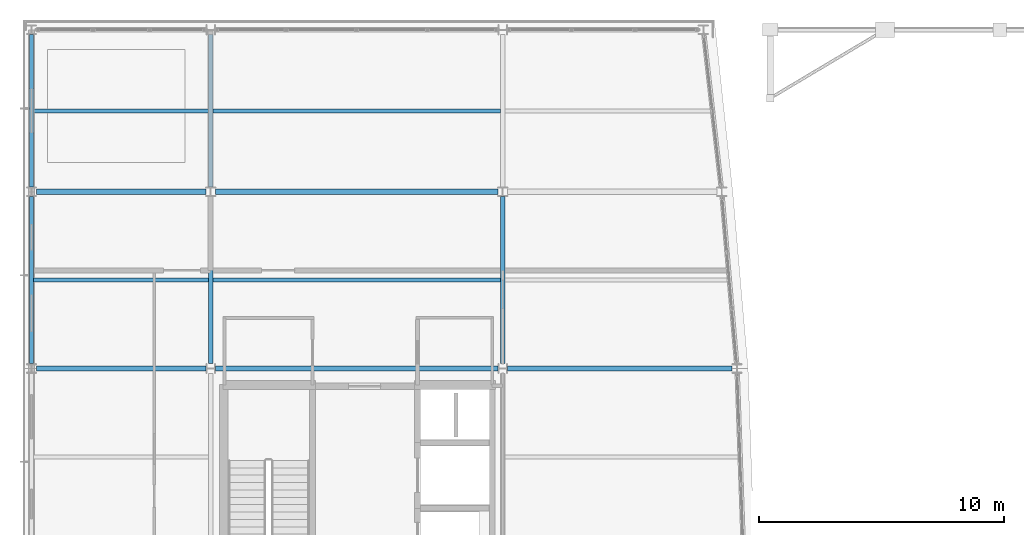
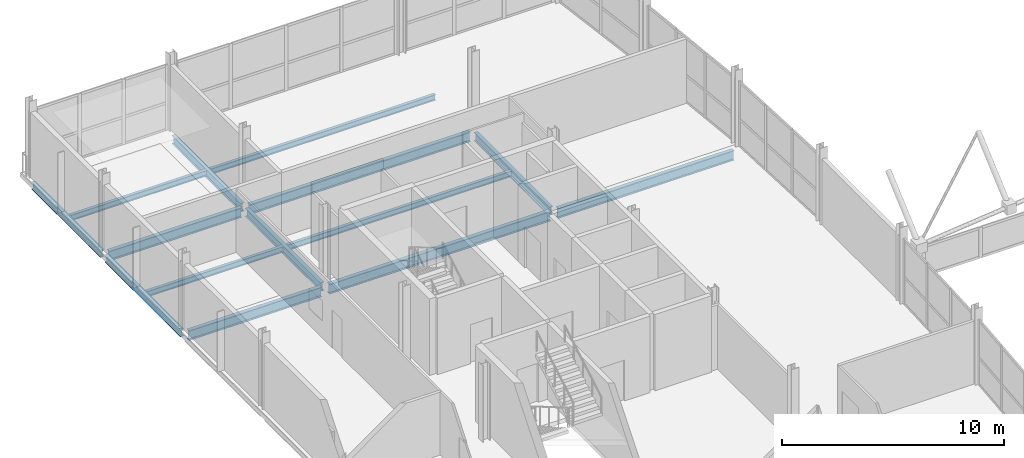
# One storey, part 30 of 60: 14 beams.
"""IFC4 building model written with IfcOpenShell, lengths in metres."""

import ifcopenshell
import ifcopenshell.guid

model = None  # the IFC model being written
_history = None  # IfcOwnerHistory: only IFC2X3 demands one
_inside = {}  # id of a spatial element -> (the spatial element, [elements in it])
_under = {}  # id of a project, library or spatial element -> (it, [spatial elements below it])
_declared = {}  # id of a project -> (the project, [libraries it declares])
_typed = {}  # id of a type object -> (the type object, [elements of that type])
_made_of = {}  # id of a material, layer set ... -> (it, [elements and type objects made of it])


def new_model(schema):
    """Start an empty IFC model of exactly this schema.

    Asked for "IFC4X3", IfcOpenShell would pick the latest addendum, in which some entities
    have other attributes; the version numbers below select the first issue.
    IFC2X3 requires an IfcOwnerHistory on every rooted entity: one is made here for all.
    """
    global model, _history
    if schema == "IFC4X3":
        model = ifcopenshell.file(schema_version=(4, 3, 0, 0))
    else:
        model = ifcopenshell.file(schema=schema)
    _inside.clear()
    _under.clear()
    _declared.clear()
    _typed.clear()
    _made_of.clear()
    _history = None
    if model.schema == "IFC2X3":
        org = make("IfcOrganization", Name="unknown")
        user = make(
            "IfcPersonAndOrganization",
            ThePerson=make("IfcPerson", FamilyName="unknown"),
            TheOrganization=org,
        )
        app = make(
            "IfcApplication",
            ApplicationDeveloper=org,
            Version="unknown",
            ApplicationFullName="unknown",
            ApplicationIdentifier="unknown",
        )
        _history = make(
            "IfcOwnerHistory",
            OwningUser=user,
            OwningApplication=app,
            ChangeAction="ADDED",
            CreationDate=0,
        )
    return model


def make(cls, **values):
    """One entity of the class cls with the attributes given. An attribute that is None is left unset."""
    return model.create_entity(
        cls, **{name: value for name, value in values.items() if value is not None}
    )


def rooted(cls, **values):
    """An entity with a GlobalId (a new one), such as an element, a storey or a relation."""
    return make(cls, GlobalId=ifcopenshell.guid.new(), OwnerHistory=_history, **values)


def si_unit(unit_type, name, prefix=None):
    """IfcSIUnit, for example si_unit("LENGTHUNIT", "METRE", prefix="MILLI")."""
    return make("IfcSIUnit", UnitType=unit_type, Prefix=prefix, Name=name)


def assignment(units):
    """IfcUnitAssignment: the units of a project."""
    return None if units is None else make("IfcUnitAssignment", Units=units)


def point(xyz):
    """IfcCartesianPoint."""
    return None if xyz is None else make("IfcCartesianPoint", Coordinates=xyz)


def direction(xyz):
    """IfcDirection."""
    return None if xyz is None else make("IfcDirection", DirectionRatios=xyz)


def frame(location, z_axis=None, x_axis=None):
    """IfcAxis2Placement3D, a coordinate frame: its origin and axes. An axis left out is left unset."""
    return make(
        "IfcAxis2Placement3D",
        Location=point(location),
        Axis=direction(z_axis),
        RefDirection=direction(x_axis),
    )


def frame_2d(location, x_axis=None):
    """IfcAxis2Placement2D, a coordinate frame in the plane: its origin and x axis."""
    return make(
        "IfcAxis2Placement2D", Location=point(location), RefDirection=direction(x_axis)
    )


def origin():
    """The frame at (0, 0, 0) with its axes left unset."""
    return frame((0.0, 0.0, 0.0))


def origin_2d():
    """The frame at (0, 0) in the plane with its x axis left unset."""
    return frame_2d((0.0, 0.0))


def place(relative_to, where):
    """IfcLocalPlacement: puts the frame where relative to a parent placement (None: the world)."""
    return make(
        "IfcLocalPlacement", PlacementRelTo=relative_to, RelativePlacement=where
    )


def context(
    kind, dimensions, precision=None, world=None, true_north=None, identifier=None
):
    """IfcGeometricRepresentationContext, for example the 3D "Model" context."""
    return make(
        "IfcGeometricRepresentationContext",
        ContextIdentifier=identifier,
        ContextType=kind,
        CoordinateSpaceDimension=dimensions,
        Precision=precision,
        WorldCoordinateSystem=world,
        TrueNorth=true_north,
    )


def subcontext(parent, identifier, kind, view, scale=None):
    """IfcGeometricRepresentationSubContext, for example "Body" below "Model"."""
    return make(
        "IfcGeometricRepresentationSubContext",
        ContextIdentifier=identifier,
        ContextType=kind,
        ParentContext=parent,
        TargetScale=scale,
        TargetView=view,
    )


def project(units=None, contexts=None):
    """IfcProject with its units and contexts."""
    return rooted(
        "IfcProject",
        Name="project",
        RepresentationContexts=contexts,
        UnitsInContext=assignment(units),
    )


def spatial(cls, under=None, at=None, **own):
    """A site, building, storey or space (cls), placed at a placement, below another one or the project."""
    s = rooted(cls, ObjectPlacement=at, **own)
    if under is not None:
        _under.setdefault(under.id(), (under, []))[1].append(s)
    return s


def profile(cls, at=None, kind="AREA", **sizes):
    """A parametric profile (cls). Its sizes go by their IFC names, for example OverallWidth=200.0."""
    return make(cls, ProfileType=kind, Position=at, **sizes)


def i_section(**sizes):
    """IfcIShapeProfileDef."""
    return profile("IfcIShapeProfileDef", **sizes)


def extrude(swept, where, along, depth):
    """IfcExtrudedAreaSolid: the profile swept, set in the frame where, extruded along a direction by depth."""
    return make(
        "IfcExtrudedAreaSolid",
        SweptArea=swept,
        Position=where,
        ExtrudedDirection=direction(along),
        Depth=depth,
    )


def shape(context_of_items, identifier, shape_type, items):
    """IfcShapeRepresentation: the items that make up one representation, for example the "Body"."""
    return make(
        "IfcShapeRepresentation",
        ContextOfItems=context_of_items,
        RepresentationIdentifier=identifier,
        RepresentationType=shape_type,
        Items=items,
    )


def material(Name=None, Category=None):
    """IfcMaterial."""
    return make("IfcMaterial", Name=Name, Category=Category)


def material_profile(
    of_material, cross_section, Name=None, Category=None, Priority=None
):
    """IfcMaterialProfile: a cross section and its material."""
    return make(
        "IfcMaterialProfile",
        Name=Name,
        Material=of_material,
        Profile=cross_section,
        Priority=Priority,
        Category=Category,
    )


def profile_set(profiles, Name=None, composite=None):
    """IfcMaterialProfileSet."""
    return make(
        "IfcMaterialProfileSet",
        Name=Name,
        MaterialProfiles=profiles,
        CompositeProfile=composite,
    )


def made_of(thing, what):
    """Note that an element or type object is made of a material, layer set ...; save() writes the relation."""
    if what is not None:
        _made_of.setdefault(what.id(), (what, []))[1].append(thing)
    return thing


def type_object(cls, material=None, **own):
    """A type object (cls), such as IfcWallType, which elements share."""
    return made_of(rooted(cls, **own), material)


def element(
    cls,
    number,
    at=None,
    inside=None,
    cuts=None,
    type_object=None,
    material=None,
    context=None,
    identifier="Body",
    shape_type=None,
    held_by="IfcProductDefinitionShape",
    body=None,
    shapes=None,
    **own,
):
    """One element of the class cls, such as IfcWall. Its Tag is "e" and its number.

    at: its placement. inside: the storey or other place that contains it. cuts: it is an
    opening in that element (IfcRelVoidsElement). A single representation is given by context,
    identifier, shape_type and body (its items); several are given by shapes. held_by: the class
    of the entity that holds the representations. save() writes the other relations.
    """
    e = rooted(cls, Tag="e%d" % number, ObjectPlacement=at, **own)
    if body is not None:
        shapes = [shape(context, identifier, shape_type, body)]
    if shapes is not None:
        e.Representation = make(held_by, Representations=shapes)
    if inside is not None:
        _inside.setdefault(inside.id(), (inside, []))[1].append(e)
    if cuts is not None:
        rooted(
            "IfcRelVoidsElement", RelatingBuildingElement=cuts, RelatedOpeningElement=e
        )
    if type_object is not None:
        _typed.setdefault(type_object.id(), (type_object, []))[1].append(e)
    return made_of(e, material)


def aggregate(whole, parts):
    """IfcRelAggregates: a whole, such as a stair, and the parts it consists of."""
    return rooted("IfcRelAggregates", RelatingObject=whole, RelatedObjects=parts)


def save(model, path):
    """Write the relations noted so far, then the file.

    IfcRelAggregates (storeys below a building ...), IfcRelContainedInSpatialStructure (elements
    in a storey), IfcRelDefinesByType, IfcRelAssociatesMaterial and IfcRelDeclares: one each for
    every whole, place, type object, material and project.
    """
    for whole, parts in _under.values():
        aggregate(whole, parts)
    for where, things in _inside.values():
        rooted(
            "IfcRelContainedInSpatialStructure",
            RelatedElements=things,
            RelatingStructure=where,
        )
    for kind, things in _typed.values():
        rooted("IfcRelDefinesByType", RelatedObjects=things, RelatingType=kind)
    for what, things in _made_of.values():
        rooted("IfcRelAssociatesMaterial", RelatedObjects=things, RelatingMaterial=what)
    for by, libraries in _declared.values():
        rooted("IfcRelDeclares", RelatingContext=by, RelatedDefinitions=libraries)
    model.write(path)


model = new_model("IFC4")

# Units and contexts
model_context = context("Model", 3, precision=1e-05, world=origin(), true_north=direction((0.0, 1.0)))
body_context = subcontext(model_context, "Body", "Model", "MODEL_VIEW")
ifc_project = project(units=[si_unit("LENGTHUNIT", "METRE"), si_unit("AREAUNIT", "SQUARE_METRE"), si_unit("VOLUMEUNIT", "CUBIC_METRE"), si_unit("PLANEANGLEUNIT", "RADIAN"), si_unit("MASSUNIT", "GRAM", prefix="KILO")], contexts=[model_context])

# Site, building, storey
site_placement = place(None, origin())
site = spatial("IfcSite", under=ifc_project, at=site_placement, CompositionType="ELEMENT")
building_placement = place(site_placement, origin())
building = spatial("IfcBuilding", under=site, at=building_placement, Name="Quillay Park Conservatory", CompositionType="ELEMENT")
storey_placement = place(building_placement, frame((0.0, 0.0, 9.89990234375)))
storey = spatial("IfcBuildingStorey", under=building, at=storey_placement, Name="L02", CompositionType="ELEMENT", Elevation=9.89990234375)

# Beams
ifc_material_1 = material(Name="Steel ASTM A992 Grade 50", Category="steel")
ifc_material_profile_1 = material_profile(ifc_material_1, i_section(OverallWidth=0.166015625, OverallDepth=0.31298828125, WebThickness=0.006591796875, FlangeThickness=0.01123046875, FilletRadius=0.010009765625, at=origin_2d()), Name="W310x45")
ifc_profile_set_1 = profile_set([ifc_material_profile_1], Name="Steel ASTM A992 Grade 50")
beam_type_1 = type_object("IfcBeamType", Name="COMPOSITE FLOOR JOIST W310 X45", PredefinedType="JOIST", material=ifc_profile_set_1)
beam_1_placement = place(storey_placement, frame((0.639892578125, 103.199951171875, -0.386474609375), z_axis=(1.0, 0.0, 0.0), x_axis=(0.0, 1.0, 0.0)))
element("IfcBeam", 1, at=beam_1_placement, inside=storey, type_object=beam_type_1, Name="L02 beam BM-J-0234", PredefinedType="JOIST", context=body_context, shape_type="SweptSolid", body=[
    extrude(i_section(OverallWidth=0.166015625, OverallDepth=0.31298828125, WebThickness=0.006591796875, FlangeThickness=0.01123046875, FilletRadius=0.010009765625, at=origin_2d()), origin(), (0.0, 0.0, 1.0), 7.114013671875),
])
beam_2_placement = place(storey_placement, frame((7.946044921875, 103.199951171875, -0.386474609375), z_axis=(1.0, 0.0, 0.0), x_axis=(0.0, 1.0, 0.0)))
element("IfcBeam", 2, at=beam_2_placement, inside=storey, type_object=beam_type_1, Name="L02 beam BM-J-0236", PredefinedType="JOIST", context=body_context, shape_type="SweptSolid", body=[
    extrude(i_section(OverallWidth=0.166015625, OverallDepth=0.31298828125, WebThickness=0.006591796875, FlangeThickness=0.01123046875, FilletRadius=0.010009765625, at=origin_2d()), origin(), (0.0, 0.0, 1.0), 11.7080078125),
])
beam_3_placement = place(storey_placement, frame((0.639892578125, 110.10009765625, -0.386474609375), z_axis=(1.0, 0.0, 0.0), x_axis=(0.0, 1.0, 0.0)))
element("IfcBeam", 3, at=beam_3_placement, inside=storey, type_object=beam_type_1, Name="L02 beam BM-J-0241", PredefinedType="JOIST", context=body_context, shape_type="SweptSolid", body=[
    extrude(i_section(OverallWidth=0.166015625, OverallDepth=0.31298828125, WebThickness=0.006591796875, FlangeThickness=0.01123046875, FilletRadius=0.010009765625, at=origin_2d()), origin(), (0.0, 0.0, 1.0), 7.114013671875),
])
beam_4_placement = place(storey_placement, frame((7.946044921875, 110.10009765625, -0.386474609375), z_axis=(1.0, 0.0, 0.0), x_axis=(0.0, 1.0, 0.0)))
element("IfcBeam", 4, at=beam_4_placement, inside=storey, type_object=beam_type_1, Name="L02 beam BM-J-0243", PredefinedType="JOIST", context=body_context, shape_type="SweptSolid", body=[
    extrude(i_section(OverallWidth=0.166015625, OverallDepth=0.31298828125, WebThickness=0.006591796875, FlangeThickness=0.01123046875, FilletRadius=0.010009765625, at=origin_2d()), origin(), (0.0, 0.0, 1.0), 11.7080078125),
])
ifc_material_2 = material(Name="Steel ASTM A992 Grade 50", Category="steel")
ifc_material_profile_2 = material_profile(ifc_material_2, i_section(OverallWidth=0.179931640625, OverallDepth=0.4130859375, WebThickness=0.009765625, FlangeThickness=0.01611328125, FilletRadius=0.011962890625, at=origin_2d()), Name="W410x74")
ifc_profile_set_2 = profile_set([ifc_material_profile_2], Name="Steel ASTM A992 Grade 50")
beam_type_2 = type_object("IfcBeamType", Name="PERIMETER SPANDREL BEAM W410 X74", PredefinedType="SPANDREL", material=ifc_profile_set_2)
beam_5_placement = place(storey_placement, frame((0.550048828125, 99.79638671875, -0.4365234375), z_axis=(0.0, 1.0, 0.0), x_axis=(-1.0, 0.0, 0.0)))
element("IfcBeam", 5, at=beam_5_placement, inside=storey, type_object=beam_type_2, Name="L02 beam BM-SPW-0230", PredefinedType="SPANDREL", context=body_context, shape_type="SweptSolid", body=[
    extrude(i_section(OverallWidth=0.179931640625, OverallDepth=0.4130859375, WebThickness=0.009765625, FlangeThickness=0.01611328125, FilletRadius=0.011962890625, at=origin_2d()), origin(), (0.0, 0.0, 1.0), 6.80712890625),
])
beam_6_placement = place(storey_placement, frame((0.550048828125, 106.99658203125, -0.4365234375), z_axis=(0.0, 1.0, 0.0), x_axis=(-1.0, 0.0, 0.0)))
element("IfcBeam", 6, at=beam_6_placement, inside=storey, type_object=beam_type_2, Name="L02 beam BM-SPW-0237", PredefinedType="SPANDREL", context=body_context, shape_type="SweptSolid", body=[
    extrude(i_section(OverallWidth=0.179931640625, OverallDepth=0.4130859375, WebThickness=0.009765625, FlangeThickness=0.01611328125, FilletRadius=0.011962890625, at=origin_2d()), origin(), (0.0, 0.0, 1.0), 6.20703125),
])
ifc_material_3 = material(Name="Steel ASTM A992 Grade 50", Category="steel")
ifc_material_profile_3 = material_profile(ifc_material_3, i_section(OverallWidth=0.19189453125, OverallDepth=0.462890625, WebThickness=0.010498046875, FlangeThickness=0.017578125, FilletRadius=0.012939453125, at=origin_2d()), Name="W460x89")
ifc_profile_set_3 = profile_set([ifc_material_profile_3], Name="Steel ASTM A992 Grade 50")
beam_type_3 = type_object("IfcBeamType", Name="PRIMARY FLOOR GIRDER W460 X89", PredefinedType="BEAM", material=ifc_profile_set_3)
for number, where, z_axis, x_axis, name in (
    (7, (7.85009765625, 99.799560546875, -0.46142578125), (0.0, 1.0, 0.0), (-1.0, 0.0, 0.0), "L02 beam BM-GNS-0232"),
    (8, (19.75, 99.799560546875, -0.46142578125), (0.0, 1.0, 0.0), (-1.0, 0.0, 0.0), "L02 beam BM-GNS-0233"),
):
    element("IfcBeam", number, at=place(storey_placement, frame(where, z_axis=z_axis, x_axis=x_axis)), inside=storey, type_object=beam_type_3, Name=name, PredefinedType="BEAM", context=body_context, shape_type="SweptSolid", body=[
        extrude(i_section(OverallWidth=0.19189453125, OverallDepth=0.462890625, WebThickness=0.010498046875, FlangeThickness=0.017578125, FilletRadius=0.012939453125, at=origin_2d()), origin(), (0.0, 0.0, 1.0), 6.803955078125),
    ])
beam_7_placement = place(storey_placement, frame((7.85009765625, 106.99658203125, -0.46142578125), z_axis=(0.0, 1.0, 0.0), x_axis=(-1.0, 0.0, 0.0)))
element("IfcBeam", 9, at=beam_7_placement, inside=storey, type_object=beam_type_3, Name="L02 beam BM-GNS-0239", PredefinedType="BEAM", context=body_context, shape_type="SweptSolid", body=[
    extrude(i_section(OverallWidth=0.19189453125, OverallDepth=0.462890625, WebThickness=0.010498046875, FlangeThickness=0.017578125, FilletRadius=0.012939453125, at=origin_2d()), origin(), (0.0, 0.0, 1.0), 6.203857421875),
])
ifc_material_4 = material(Name="Steel ASTM A992 Grade 50", Category="steel")
ifc_material_profile_4 = material_profile(ifc_material_4, i_section(OverallWidth=0.2109375, OverallDepth=0.5390625, WebThickness=0.01171875, FlangeThickness=0.018798828125, FilletRadius=0.013916015625, at=origin_2d()), Name="W530x109")
ifc_profile_set_4 = profile_set([ifc_material_profile_4], Name="Steel ASTM A992 Grade 50")
beam_type_4 = type_object("IfcBeamType", Name="PRIMARY FLOOR GIRDER W530 X109", PredefinedType="BEAM", material=ifc_profile_set_4)
beam_8_placement = place(storey_placement, frame((0.74951171875, 99.60009765625, -0.49951171875), z_axis=(1.0, 0.0, 0.0), x_axis=(0.0, 1.0, 0.0)))
element("IfcBeam", 10, at=beam_8_placement, inside=storey, type_object=beam_type_4, Name="L02 beam BM-G-0189", PredefinedType="BEAM", context=body_context, shape_type="SweptSolid", body=[
    extrude(i_section(OverallWidth=0.2109375, OverallDepth=0.5390625, WebThickness=0.01171875, FlangeThickness=0.018798828125, FilletRadius=0.013916015625, at=origin_2d()), origin(), (0.0, 0.0, 1.0), 6.904052734375),
])
beam_9_placement = place(storey_placement, frame((8.04638671875, 99.60009765625, -0.49951171875), z_axis=(1.0, 0.0, 0.0), x_axis=(0.0, 1.0, 0.0)))
element("IfcBeam", 11, at=beam_9_placement, inside=storey, type_object=beam_type_4, Name="L02 beam BM-G-0190", PredefinedType="BEAM", context=body_context, shape_type="SweptSolid", body=[
    extrude(i_section(OverallWidth=0.2109375, OverallDepth=0.5390625, WebThickness=0.01171875, FlangeThickness=0.018798828125, FilletRadius=0.013916015625, at=origin_2d()), origin(), (0.0, 0.0, 1.0), 11.507080078125),
])
beam_10_placement = place(storey_placement, frame((19.946533203125, 99.60009765625, -0.49951171875), z_axis=(1.0, 0.0, 0.0), x_axis=(0.0, 1.0, 0.0)))
element("IfcBeam", 12, at=beam_10_placement, inside=storey, type_object=beam_type_4, Name="L02 beam BM-G-0191", PredefinedType="BEAM", context=body_context, shape_type="SweptSolid", body=[
    extrude(i_section(OverallWidth=0.2109375, OverallDepth=0.5390625, WebThickness=0.01171875, FlangeThickness=0.018798828125, FilletRadius=0.013916015625, at=origin_2d()), origin(), (0.0, 0.0, 1.0), 9.154052734375),
])
beam_11_placement = place(storey_placement, frame((0.74951171875, 106.800048828125, -0.49951171875), z_axis=(1.0, 0.0, 0.0), x_axis=(0.0, 1.0, 0.0)))
element("IfcBeam", 13, at=beam_11_placement, inside=storey, type_object=beam_type_4, Name="L02 beam BM-G-0192", PredefinedType="BEAM", context=body_context, shape_type="SweptSolid", body=[
    extrude(i_section(OverallWidth=0.2109375, OverallDepth=0.5390625, WebThickness=0.01171875, FlangeThickness=0.018798828125, FilletRadius=0.013916015625, at=origin_2d()), origin(), (0.0, 0.0, 1.0), 6.90087890625),
])
beam_12_placement = place(storey_placement, frame((8.049560546875, 106.800048828125, -0.49951171875), z_axis=(1.0, 0.0, 0.0), x_axis=(0.0, 1.0, 0.0)))
element("IfcBeam", 14, at=beam_12_placement, inside=storey, type_object=beam_type_4, Name="L02 beam BM-G-0193", PredefinedType="BEAM", context=body_context, shape_type="SweptSolid", body=[
    extrude(i_section(OverallWidth=0.2109375, OverallDepth=0.5390625, WebThickness=0.01171875, FlangeThickness=0.018798828125, FilletRadius=0.013916015625, at=origin_2d()), origin(), (0.0, 0.0, 1.0), 11.5009765625),
])

save(model, "model.ifc")
